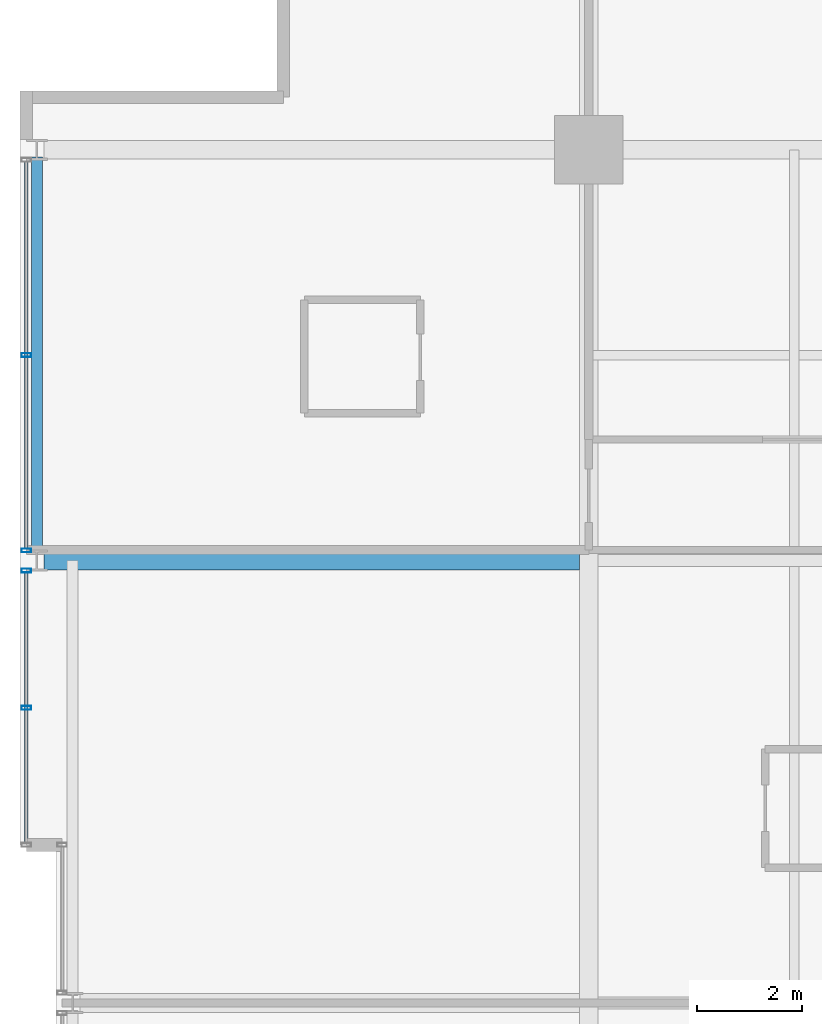
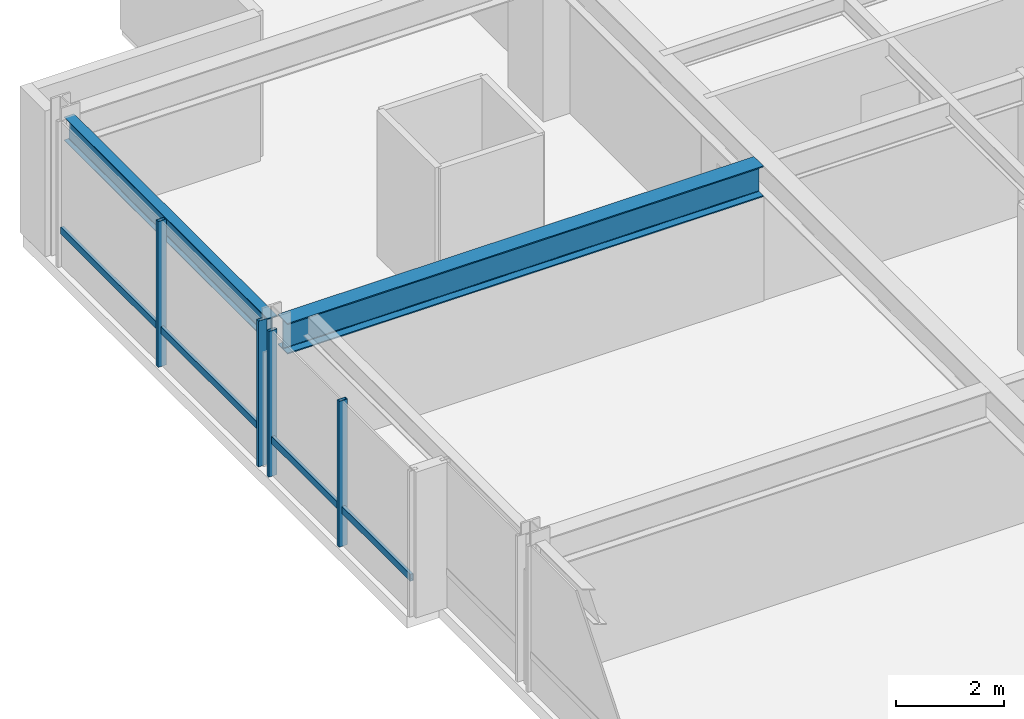
# One storey, part 17 of 33: 6 members, 2 beams, 2 elements without a shape of their own.
"""IFC4 building model written with IfcOpenShell, lengths in metres."""

from ifc_helpers import new_model, si_unit, direction, frame, origin, origin_2d, place, context, subcontext, project, spatial, hollow_rectangle, i_section, extrude, material, layer, layer_set, material_profile, profile_set, type_object, element, aggregate, save


model = new_model("IFC4")

# Units and contexts
model_context = context("Model", 3, precision=1e-05, world=origin(), true_north=direction((0.0, 1.0)))
body_context = subcontext(model_context, "Body", "Model", "MODEL_VIEW")
ifc_project = project(units=[si_unit("LENGTHUNIT", "METRE"), si_unit("AREAUNIT", "SQUARE_METRE"), si_unit("VOLUMEUNIT", "CUBIC_METRE"), si_unit("PLANEANGLEUNIT", "RADIAN"), si_unit("MASSUNIT", "GRAM", prefix="KILO")], contexts=[model_context])

# Site, building, storey
site_placement = place(None, origin())
site = spatial("IfcSite", under=ifc_project, at=site_placement, CompositionType="ELEMENT")
building_placement = place(site_placement, origin())
building = spatial("IfcBuilding", under=site, at=building_placement, Name="Drelvath Grand Hotel", CompositionType="ELEMENT")
storey_placement = place(building_placement, frame((0.0, 0.0, 178.800048828125)))
storey = spatial("IfcBuildingStorey", under=building, at=storey_placement, Name="L46", CompositionType="ELEMENT", Elevation=178.800048828125)

# Curtain wall, member
ifc_material_1 = material(Name="Brushed Pale-Silver Anodised Aluminium Frame", Category="aluminium")
ifc_layer = layer(ifc_material_1, 0.199951171875)
ifc_layer_set = layer_set([ifc_layer], Name="Brushed Pale-Silver Anodised Aluminium Frame")
curtain_wall_type = type_object("IfcCurtainWallType", Name="Stick Curtain Wall CW-04 Brushed Silver Upper-Mid", PredefinedType="NOTDEFINED", material=ifc_layer_set)
curtain_wall_1_placement = place(storey_placement, origin())
curtain_wall_1 = element("IfcCurtainWall", 1, at=curtain_wall_1_placement, inside=storey, type_object=curtain_wall_type, Name="L46 CW-04 Curtain Wall CW04-L46-WN1", PredefinedType="NOTDEFINED")
ifc_material_profile_1 = material_profile(ifc_material_1, hollow_rectangle(XDim=0.06494140625, YDim=0.159912109375, WallThickness=0.00390625, at=origin_2d()), Name="HSS160X65X4")
ifc_profile_set_1 = profile_set([ifc_material_profile_1], Name="Brushed Pale-Silver Anodised Aluminium Frame")
member_type_1 = type_object("IfcMemberType", Name="Curtain Wall Horizontal Transom CW-04 HSS160X65X4", PredefinedType="USERDEFINED", material=ifc_profile_set_1)
member_1_placement = place(storey_placement, frame((-26.8798828125, 30.0400390625, 0.822509765625), z_axis=(0.0, 1.0, 0.0), x_axis=(-1.0, 0.0, 0.0)))
member_1 = element("IfcMember", 2, at=member_1_placement, type_object=member_type_1, Name="CW04-L46-WN1 Sill Transom", ObjectType="TRANSOM", PredefinedType="USERDEFINED", context=body_context, shape_type="SweptSolid", body=[
    extrude(hollow_rectangle(XDim=0.06494140625, YDim=0.159912109375, WallThickness=0.00390625, at=origin_2d()), origin(), (0.0, 0.0, 1.0), 5.12841796875),
])

curtain_wall_2_placement = place(storey_placement, origin())
curtain_wall_2 = element("IfcCurtainWall", 3, at=curtain_wall_2_placement, inside=storey, type_object=curtain_wall_type, Name="L46 CW-04 Curtain Wall CW04-L46-WN2", PredefinedType="NOTDEFINED")
member_2_placement = place(storey_placement, frame((-26.8798828125, 35.631591796875, 0.822509765625), z_axis=(0.0, 1.0, 0.0), x_axis=(-1.0, 0.0, 0.0)))
member_2 = element("IfcMember", 4, at=member_2_placement, type_object=member_type_1, Name="CW04-L46-WN2 Sill Transom", ObjectType="TRANSOM", PredefinedType="USERDEFINED", context=body_context, shape_type="SweptSolid", body=[
    extrude(hollow_rectangle(XDim=0.06494140625, YDim=0.159912109375, WallThickness=0.00390625, at=origin_2d()), origin(), (0.0, 0.0, 1.0), 7.3369140625),
])

# Member
ifc_material_profile_2 = material_profile(ifc_material_1, hollow_rectangle(XDim=0.074951171875, YDim=0.179931640625, WallThickness=0.0048828125, at=origin_2d()), Name="HSS180X75X5")
ifc_profile_set_2 = profile_set([ifc_material_profile_2], Name="Brushed Pale-Silver Anodised Aluminium Frame")
member_type_2 = type_object("IfcMemberType", Name="Curtain Wall Vertical Mullion CW-04 HSS180X75X5", PredefinedType="MULLION", material=ifc_profile_set_2)
member_3_placement = place(storey_placement, frame((-26.8798828125, 32.604248046875, 0.0), z_axis=(0.0, 0.0, 1.0), x_axis=(0.0, 1.0, 0.0)))
member_3 = element("IfcMember", 5, at=member_3_placement, type_object=member_type_2, Name="CW04-L46-WN1 Mullion 2", PredefinedType="MULLION", context=body_context, shape_type="SweptSolid", body=[
    extrude(hollow_rectangle(XDim=0.074951171875, YDim=0.179931640625, WallThickness=0.0048828125, at=origin_2d()), origin(), (0.0, 0.0, 1.0), 3.2900390625),
])

member_4_placement = place(storey_placement, frame((-26.8798828125, 35.20849609375, 0.0), z_axis=(0.0, 0.0, 1.0), x_axis=(0.0, 1.0, 0.0)))
member_4 = element("IfcMember", 6, at=member_4_placement, type_object=member_type_2, Name="CW04-L46-WN1 Mullion 3", PredefinedType="MULLION", context=body_context, shape_type="SweptSolid", body=[
    extrude(hollow_rectangle(XDim=0.074951171875, YDim=0.179931640625, WallThickness=0.0048828125, at=origin_2d()), origin(), (0.0, 0.0, 1.0), 3.2900390625),
])

aggregate(curtain_wall_1, [member_3, member_4, member_1])

member_5_placement = place(storey_placement, frame((-26.8798828125, 35.591552734375, 0.0), z_axis=(0.0, 0.0, 1.0), x_axis=(0.0, 1.0, 0.0)))
member_5 = element("IfcMember", 7, at=member_5_placement, type_object=member_type_2, Name="CW04-L46-WN2 Mullion 1", PredefinedType="MULLION", context=body_context, shape_type="SweptSolid", body=[
    extrude(hollow_rectangle(XDim=0.074951171875, YDim=0.179931640625, WallThickness=0.0048828125, at=origin_2d()), origin(), (0.0, 0.0, 1.0), 3.2900390625),
])

member_6_placement = place(storey_placement, frame((-26.8798828125, 39.300048828125, 0.0), z_axis=(0.0, 0.0, 1.0), x_axis=(0.0, 1.0, 0.0)))
member_6 = element("IfcMember", 8, at=member_6_placement, type_object=member_type_2, Name="CW04-L46-WN2 Mullion 2", PredefinedType="MULLION", context=body_context, shape_type="SweptSolid", body=[
    extrude(hollow_rectangle(XDim=0.074951171875, YDim=0.179931640625, WallThickness=0.0048828125, at=origin_2d()), origin(), (0.0, 0.0, 1.0), 3.2900390625),
])

aggregate(curtain_wall_2, [member_5, member_6, member_2])

# Beams
ifc_material_2 = material(Name="Steel ASTM A992 Gr 50", Category="steel")
ifc_material_profile_3 = material_profile(ifc_material_2, i_section(OverallWidth=0.210205078125, OverallDepth=0.53662109375, WebThickness=0.010986328125, FlangeThickness=0.017333984375, FilletRadius=0.01806640625, at=origin_2d()), Name="W21X68")
ifc_profile_set_3 = profile_set([ifc_material_profile_3], Name="Steel ASTM A992 Gr 50")
beam_type_1 = type_object("IfcBeamType", Name="Perimeter Spandrel Beam W21X68", PredefinedType="SPANDREL", material=ifc_profile_set_3)
beam_1_placement = place(storey_placement, frame((-26.679931640625, 35.5400390625, 3.021728515625), z_axis=(0.0, 1.0, 0.0), x_axis=(-1.0, 0.0, 0.0)))
element("IfcBeam", 9, at=beam_1_placement, inside=storey, type_object=beam_type_1, Name="L46 Spandrel West N", PredefinedType="SPANDREL", context=body_context, shape_type="SweptSolid", body=[
    extrude(i_section(OverallWidth=0.210205078125, OverallDepth=0.53662109375, WebThickness=0.010986328125, FlangeThickness=0.017333984375, FilletRadius=0.01806640625, at=origin_2d()), origin(), (0.0, 0.0, 1.0), 7.52001953125),
])
ifc_material_profile_4 = material_profile(ifc_material_2, i_section(OverallWidth=0.354736328125, OverallDepth=0.695556640625, WebThickness=0.015380859375, FlangeThickness=0.025146484375, FilletRadius=0.02392578125, at=origin_2d()), Name="W27X146")
ifc_profile_set_4 = profile_set([ifc_material_profile_4], Name="Steel ASTM A992 Gr 50")
beam_type_2 = type_object("IfcBeamType", Name="Primary Floor Girder W27X146", PredefinedType="BEAM", material=ifc_profile_set_4)
beam_2_placement = place(storey_placement, frame((-26.5400390625, 35.39990234375, 2.942138671875), z_axis=(1.0, 0.0, 0.0), x_axis=(0.0, 1.0, 0.0)))
element("IfcBeam", 10, at=beam_2_placement, inside=storey, type_object=beam_type_2, Name="L46 West Wing Girder F", PredefinedType="BEAM", context=body_context, shape_type="SweptSolid", body=[
    extrude(i_section(OverallWidth=0.354736328125, OverallDepth=0.695556640625, WebThickness=0.015380859375, FlangeThickness=0.025146484375, FilletRadius=0.02392578125, at=origin_2d()), origin(), (0.0, 0.0, 1.0), 10.16259765625),
])

save(model, "model.ifc")
